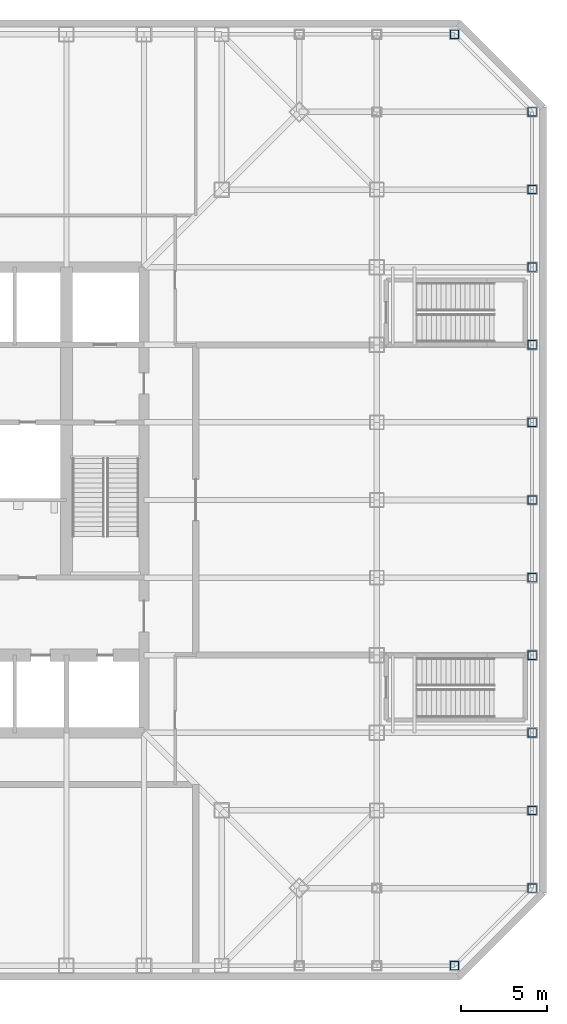
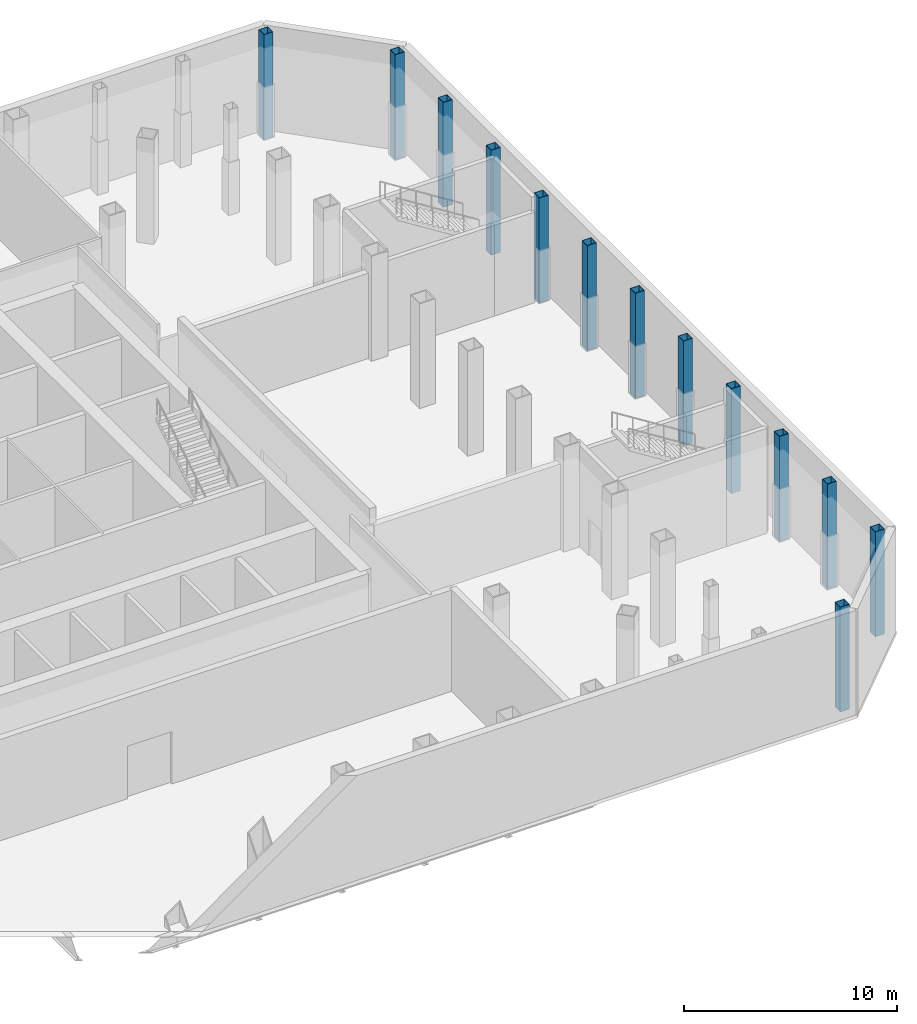
# One storey, part 3 of 12: 13 columns.
"""IFC4 building model written with IfcOpenShell, lengths in metres."""

from ifc_helpers import new_model, si_unit, direction, frame, origin, origin_2d, place, context, subcontext, project, spatial, hollow_rectangle, extrude, material, material_profile, profile_set, type_object, element, save


model = new_model("IFC4")

# Units and contexts
model_context = context("Model", 3, precision=1e-05, world=origin(), true_north=direction((0.0, 1.0)))
body_context = subcontext(model_context, "Body", "Model", "MODEL_VIEW")
ifc_project = project(units=[si_unit("LENGTHUNIT", "METRE"), si_unit("AREAUNIT", "SQUARE_METRE"), si_unit("VOLUMEUNIT", "CUBIC_METRE"), si_unit("PLANEANGLEUNIT", "RADIAN"), si_unit("MASSUNIT", "GRAM", prefix="KILO")], contexts=[model_context])

# Site, building, storey
site_placement = place(None, origin())
site = spatial("IfcSite", under=ifc_project, at=site_placement, CompositionType="ELEMENT")
building_placement = place(site_placement, origin())
building = spatial("IfcBuilding", under=site, at=building_placement, Name="Corais Broadcast Tower", CompositionType="ELEMENT")
storey_placement = place(building_placement, frame((0.0, 0.0, 6.0)))
storey = spatial("IfcBuildingStorey", under=building, at=storey_placement, Name="L01", CompositionType="ELEMENT", Elevation=6.0)

# Columns
ifc_material = material(Name="Steel ASTM A572 Grade 50", Category="steel")
ifc_material_profile = material_profile(ifc_material, hollow_rectangle(XDim=0.5, YDim=0.5, WallThickness=0.02197265625, at=origin_2d()), Name="BOX 500x500x22")
ifc_profile_set = profile_set([ifc_material_profile], Name="Steel ASTM A572 Grade 50")
column_type = type_object("IfcColumnType", Name="Column BOX 500x500x22", PredefinedType="COLUMN", material=ifc_profile_set)
for number, where, z_axis, x_axis, name in (
    (1, (63.0, 4.5, 0.0), (0.0, 0.0, 1.0), (1.0, 0.0, 0.0), "C9 B/17"),
    (2, (63.0, 9.0, 0.0), (0.0, 0.0, 1.0), (1.0, 0.0, 0.0), "C9 C/17"),
    (3, (63.0, 13.5, 0.0), (0.0, 0.0, 1.0), (1.0, 0.0, 0.0), "C9 D/17"),
    (4, (63.0, 18.0, 0.0), (0.0, 0.0, 1.0), (1.0, 0.0, 0.0), "C9 E/17"),
    (5, (63.0, 22.5, 0.0), (0.0, 0.0, 1.0), (1.0, 0.0, 0.0), "C9 F/17"),
    (6, (63.0, 27.0, 0.0), (0.0, 0.0, 1.0), (1.0, 0.0, 0.0), "C9 G/17"),
    (7, (63.0, 31.5, 0.0), (0.0, 0.0, 1.0), (1.0, 0.0, 0.0), "C9 H/17"),
    (8, (63.0, 36.0, 0.0), (0.0, 0.0, 1.0), (1.0, 0.0, 0.0), "C9 J/17"),
    (9, (63.0, 40.5, 0.0), (0.0, 0.0, 1.0), (1.0, 0.0, 0.0), "C9 K/17"),
    (10, (63.0, 45.0, 0.0), (0.0, 0.0, 1.0), (1.0, 0.0, 0.0), "C9 L/17"),
    (11, (63.0, 49.5, 0.0), (0.0, 0.0, 1.0), (1.0, 0.0, 0.0), "C9 M/17"),
    (12, (58.5, 0.0, 0.0), (0.0, 0.0, 1.0), (1.0, 0.0, 0.0), "C9 A/16"),
    (13, (58.5, 54.0, 0.0), (0.0, 0.0, 1.0), (1.0, 0.0, 0.0), "C9 N/16"),
):
    element("IfcColumn", number, at=place(storey_placement, frame(where, z_axis=z_axis, x_axis=x_axis)), inside=storey, type_object=column_type, Name=name, PredefinedType="COLUMN", context=body_context, shape_type="SweptSolid", body=[
        extrude(hollow_rectangle(XDim=0.5, YDim=0.5, WallThickness=0.02197265625, at=origin_2d()), origin(), (0.0, 0.0, 1.0), 6.0),
    ])

save(model, "model.ifc")
